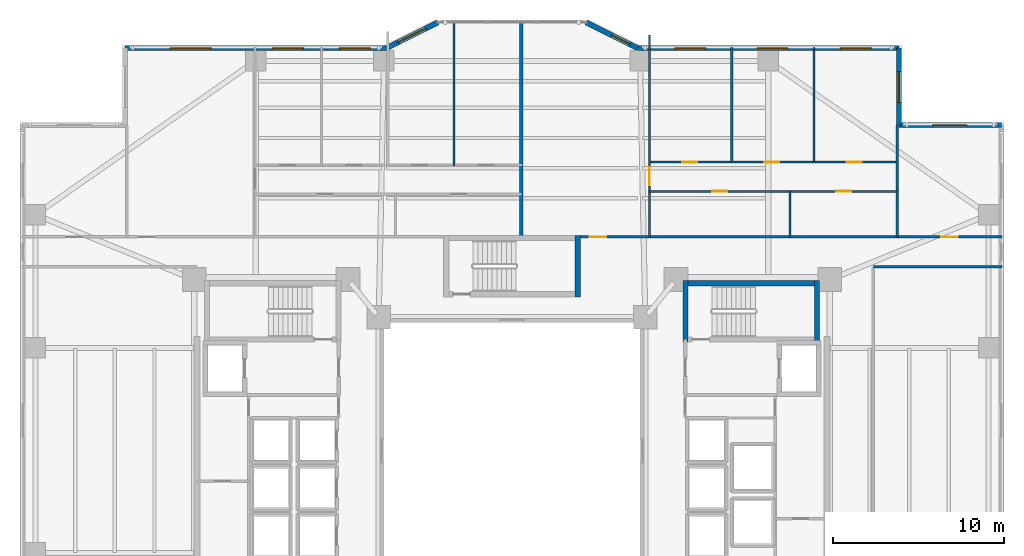
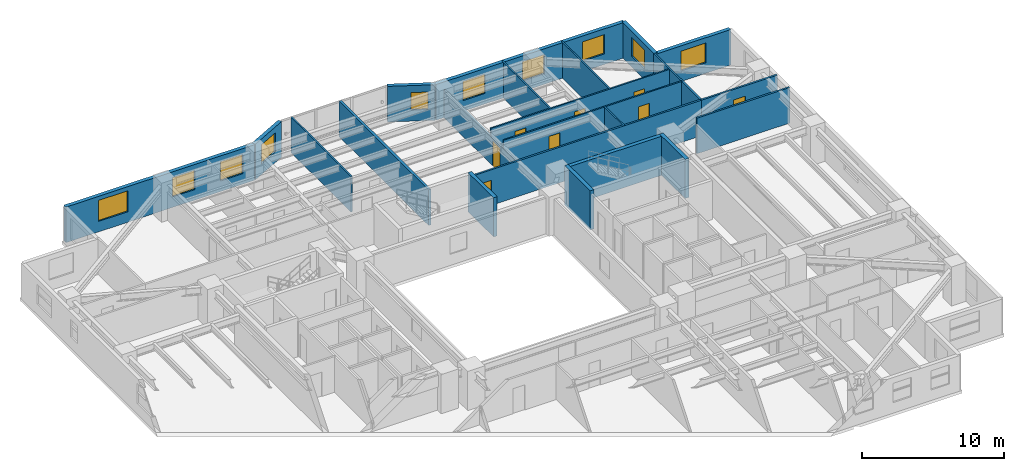
# One storey, part 14 of 20: 23 walls, 10 windows, 8 doors, 18 openings.
"""IFC4 building model written with IfcOpenShell, lengths in metres."""

from ifc_helpers import new_model, si_unit, direction, frame, frame_2d, origin, place, context, subcontext, project, spatial, rectangle, extrude, material, layer, layer_set, type_object, element, fill, save


model = new_model("IFC4")

# Units and contexts
model_context = context("Model", 3, precision=1e-05, world=origin(), true_north=direction((0.0, 1.0)))
body_context = subcontext(model_context, "Body", "Model", "MODEL_VIEW")
ifc_project = project(units=[si_unit("LENGTHUNIT", "METRE"), si_unit("AREAUNIT", "SQUARE_METRE"), si_unit("VOLUMEUNIT", "CUBIC_METRE"), si_unit("PLANEANGLEUNIT", "RADIAN"), si_unit("MASSUNIT", "GRAM", prefix="KILO")], contexts=[model_context])

# Site, building, storey
site_placement = place(None, origin())
site = spatial("IfcSite", under=ifc_project, at=site_placement, CompositionType="ELEMENT")
building_placement = place(site_placement, origin())
building = spatial("IfcBuilding", under=site, at=building_placement, Name="Tarnavaz Court Tower", CompositionType="ELEMENT")
storey_placement = place(building_placement, frame((0.0, 0.0, 60.85009765625)))
storey = spatial("IfcBuildingStorey", under=building, at=storey_placement, Name="L16", CompositionType="ELEMENT", Elevation=60.85009765625)

# Walls
ifc_material_1 = material(Name="Concrete C60/75", Category="concrete")
ifc_layer_1 = layer(ifc_material_1, 0.300048828125)
ifc_layer_set_1 = layer_set([ifc_layer_1], Name="Concrete C60/75")
wall_type_1 = type_object("IfcWallType", Name="WL-CORE-300-C60", PredefinedType="SHEAR", material=ifc_layer_set_1)
wall_1_placement = place(storey_placement, frame((10.0, 9.7900390625, 0.0), z_axis=(0.0, 0.0, 1.0), x_axis=(1.0, 0.0, 0.0)))
element("IfcWall", 1, at=wall_1_placement, inside=storey, type_object=wall_type_1, Name="L16 East Stair Core Wall 005", PredefinedType="SHEAR", context=body_context, shape_type="SweptSolid", body=[
    extrude(rectangle(XDim=8.0, YDim=0.300048828125, at=frame_2d((4.0, 0.0))), origin(), (0.0, 0.0, 1.0), 3.349853515625),
])
for number, where, z_axis, x_axis, name in (
    (2, (10.14990234375, 6.35009765625, 0.0), (0.0, 0.0, 1.0), (0.0, 1.0, 0.0), "L16 East Stair Core Wall 007"),
    (3, (17.85009765625, 6.35009765625, 0.0), (0.0, 0.0, 1.0), (0.0, 1.0, 0.0), "L16 East Stair Core Wall 008"),
):
    element("IfcWall", number, at=place(storey_placement, frame(where, z_axis=z_axis, x_axis=x_axis)), inside=storey, type_object=wall_type_1, Name=name, PredefinedType="SHEAR", context=body_context, shape_type="SweptSolid", body=[
        extrude(rectangle(XDim=3.58984375, YDim=0.300048828125, at=frame_2d((1.794921875, 0.0))), origin(), (0.0, 0.0, 1.0), 3.349853515625),
    ])
wall_2_placement = place(storey_placement, frame((3.85009765625, 9.0, 0.0), z_axis=(0.0, 0.0, 1.0), x_axis=(0.0, 1.0, 0.0)))
element("IfcWall", 4, at=wall_2_placement, inside=storey, type_object=wall_type_1, Name="L16 North Stair Core Wall 012", PredefinedType="SHEAR", context=body_context, shape_type="SweptSolid", body=[
    extrude(rectangle(XDim=3.590087890625, YDim=0.300048828125, at=frame_2d((1.794921875, 0.0))), origin(), (0.0, 0.0, 1.0), 3.349853515625),
])

# Wall, openings, windows
ifc_material_2 = material(Name="Precast Concrete C40/50", Category="concrete")
ifc_layer_2 = layer(ifc_material_2, 0.300048828125)
ifc_layer_set_2 = layer_set([ifc_layer_2], Name="Precast Concrete C40/50")
wall_type_2 = type_object("IfcWallType", Name="WL-EXT-300", PredefinedType="SOLIDWALL", material=ifc_layer_set_2)
wall_3_placement = place(storey_placement, frame((-22.64990234375, 23.550048828125, 0.0), z_axis=(0.0, 0.0, 1.0), x_axis=(1.0, 0.0, 0.0)))
wall_3 = element("IfcWall", 5, at=wall_3_placement, inside=storey, type_object=wall_type_2, Name="L16 Exterior Terracotta Facade Wall 05", PredefinedType="SOLIDWALL", context=body_context, shape_type="SweptSolid", body=[
    extrude(rectangle(XDim=15.2998046875, YDim=0.300048828125, at=frame_2d((7.64990234375, 0.0))), origin(), (0.0, 0.0, 1.0), 3.0498046875),
])
opening_1_placement = place(wall_3_placement, frame((2.637451171875, 0.0, 0.89990234375)))
opening_1 = element("IfcOpeningElement", 6, at=opening_1_placement, cuts=wall_3, Name="Opening W06", PredefinedType="OPENING", context=body_context, shape_type="SweptSolid", body=[
    extrude(rectangle(XDim=2.39990234375, YDim=1.800048828125, at=frame_2d((1.199951171875, 0.89990234375))), frame((0.0, 0.159912109375, 0.0), z_axis=(0.0, -1.0, 0.0), x_axis=(1.0, 0.0, 0.0)), (0.0, 0.0, 1.0), 0.320068359375),
])
opening_2_placement = place(wall_3_placement, frame((8.65625, 0.0, 0.89990234375)))
opening_2 = element("IfcOpeningElement", 7, at=opening_2_placement, cuts=wall_3, Name="Opening W01", PredefinedType="OPENING", context=body_context, shape_type="SweptSolid", body=[
    extrude(rectangle(XDim=1.800048828125, YDim=1.64990234375, at=frame_2d((0.89990234375, 0.824951171875))), frame((0.0, 0.159912109375, 0.0), z_axis=(0.0, -1.0, 0.0), x_axis=(1.0, 0.0, 0.0)), (0.0, 0.0, 1.0), 0.320068359375),
])
opening_3_placement = place(wall_3_placement, frame((12.5439453125, 0.0, 0.89990234375)))
opening_3 = element("IfcOpeningElement", 8, at=opening_3_placement, cuts=wall_3, Name="Opening W01", PredefinedType="OPENING", context=body_context, shape_type="SweptSolid", body=[
    extrude(rectangle(XDim=1.800048828125, YDim=1.64990234375, at=frame_2d((0.89990234375, 0.824951171875))), frame((0.0, 0.159912109375, 0.0), z_axis=(0.0, -1.0, 0.0), x_axis=(1.0, 0.0, 0.0)), (0.0, 0.0, 1.0), 0.320068359375),
])
ifc_material_3 = material(Name="Double-Glazed Solar Low-E Glass", Category="glass")
window_type_1 = type_object("IfcWindowType", Name="WN-APT-1800", PartitioningType="DOUBLE_PANEL_VERTICAL", PredefinedType="WINDOW", material=ifc_material_3)
window_1_placement = place(opening_2_placement, origin())
window_1 = element("IfcWindow", 9, at=window_1_placement, inside=storey, type_object=window_type_1, Name="L16 Flat 01 Principal Bedroom Window", OverallHeight=1.64990234375, OverallWidth=1.800048828125, PartitioningType="SINGLE_PANEL", PredefinedType="WINDOW", context=body_context, shape_type="SweptSolid", body=[
    extrude(rectangle(XDim=1.800048828125, YDim=1.64990234375, at=frame_2d((0.89990234375, 0.824951171875))), frame((0.0, 0.030029296875, 0.0), z_axis=(0.0, -1.0, 0.0), x_axis=(1.0, 0.0, 0.0)), (0.0, 0.0, 1.0), 0.06005859375),
])
fill(opening_2, window_1)
window_2_placement = place(opening_3_placement, origin())
window_2 = element("IfcWindow", 10, at=window_2_placement, inside=storey, type_object=window_type_1, Name="L16 Flat 01 Bedroom 2 Window", OverallHeight=1.64990234375, OverallWidth=1.800048828125, PartitioningType="SINGLE_PANEL", PredefinedType="WINDOW", context=body_context, shape_type="SweptSolid", body=[
    extrude(rectangle(XDim=1.800048828125, YDim=1.64990234375, at=frame_2d((0.89990234375, 0.824951171875))), frame((0.0, 0.030029296875, 0.0), z_axis=(0.0, -1.0, 0.0), x_axis=(1.0, 0.0, 0.0)), (0.0, 0.0, 1.0), 0.06005859375),
])
fill(opening_3, window_2)
window_type_2 = type_object("IfcWindowType", Name="WN-APT-2400", PartitioningType="TRIPLE_PANEL_VERTICAL", PredefinedType="WINDOW", material=ifc_material_3)
window_3_placement = place(opening_1_placement, origin())
window_3 = element("IfcWindow", 11, at=window_3_placement, inside=storey, type_object=window_type_2, Name="L16 Flat 01 Living and Dining Room Window", OverallHeight=1.800048828125, OverallWidth=2.39990234375, PartitioningType="SINGLE_PANEL", PredefinedType="WINDOW", context=body_context, shape_type="SweptSolid", body=[
    extrude(rectangle(XDim=2.39990234375, YDim=1.800048828125, at=frame_2d((1.199951171875, 0.89990234375))), frame((0.0, 0.030029296875, 0.0), z_axis=(0.0, -1.0, 0.0), x_axis=(1.0, 0.0, 0.0)), (0.0, 0.0, 1.0), 0.06005859375),
])
fill(opening_1, window_3)

# Wall, opening, window
wall_4_placement = place(storey_placement, frame((-7.35009765625, 23.550048828125, 0.0), z_axis=(0.0, 0.0, 1.0), x_axis=(0.894427191, 0.4472135955, 0.0)))
wall_4 = element("IfcWall", 12, at=wall_4_placement, inside=storey, type_object=wall_type_2, Name="L16 Exterior Terracotta Facade Wall 06", PredefinedType="SOLIDWALL", context=body_context, shape_type="SweptSolid", body=[
    extrude(rectangle(XDim=3.35400390625, YDim=0.300048828125, at=frame_2d((1.677001953125, 0.0))), origin(), (0.0, 0.0, 1.0), 3.0498046875),
])
opening_4_placement = place(wall_4_placement, frame((0.777099609375, 0.0, 0.89990234375)))
opening_4 = element("IfcOpeningElement", 13, at=opening_4_placement, cuts=wall_4, Name="Opening W01", PredefinedType="OPENING", context=body_context, shape_type="SweptSolid", body=[
    extrude(rectangle(XDim=1.800048828125, YDim=1.64990234375, at=frame_2d((0.89990234375, 0.824951171875))), frame((0.0, 0.159912109375, 0.0), z_axis=(0.0, -1.0, 0.0), x_axis=(1.0, 0.0, 0.0)), (0.0, 0.0, 1.0), 0.320068359375),
])
window_4_placement = place(opening_4_placement, origin())
window_4 = element("IfcWindow", 14, at=window_4_placement, inside=storey, type_object=window_type_1, Name="L16 Flat 01 Bedroom 3 Window", OverallHeight=1.64990234375, OverallWidth=1.800048828125, PartitioningType="SINGLE_PANEL", PredefinedType="WINDOW", context=body_context, shape_type="SweptSolid", body=[
    extrude(rectangle(XDim=1.800048828125, YDim=1.64990234375, at=frame_2d((0.89990234375, 0.824951171875))), frame((0.0, 0.030029296875, 0.0), z_axis=(0.0, -1.0, 0.0), x_axis=(1.0, 0.0, 0.0)), (0.0, 0.0, 1.0), 0.06005859375),
])
fill(opening_4, window_4)

wall_5_placement = place(storey_placement, frame((4.35009765625, 25.050048828125, 0.0), z_axis=(0.0, 0.0, 1.0), x_axis=(0.894427191, -0.4472135955, 0.0)))
wall_5 = element("IfcWall", 15, at=wall_5_placement, inside=storey, type_object=wall_type_2, Name="L16 Exterior Terracotta Facade Wall 08", PredefinedType="SOLIDWALL", context=body_context, shape_type="SweptSolid", body=[
    extrude(rectangle(XDim=3.35400390625, YDim=0.300048828125, at=frame_2d((1.677001953125, 0.0))), origin(), (0.0, 0.0, 1.0), 3.0498046875),
])
opening_5_placement = place(wall_5_placement, frame((1.65283203125, 0.0, 0.949951171875)))
opening_5 = element("IfcOpeningElement", 16, at=opening_5_placement, cuts=wall_5, Name="Opening W05", PredefinedType="OPENING", context=body_context, shape_type="SweptSolid", body=[
    extrude(rectangle(XDim=1.199951171875, YDim=1.5, at=frame_2d((0.60009765625, 0.75))), frame((0.0, 0.159912109375, 0.0), z_axis=(0.0, -1.0, 0.0), x_axis=(1.0, 0.0, 0.0)), (0.0, 0.0, 1.0), 0.320068359375),
])
window_type_3 = type_object("IfcWindowType", Name="WN-APT-1200", PartitioningType="SINGLE_PANEL", PredefinedType="WINDOW", material=ifc_material_3)
window_5_placement = place(opening_5_placement, origin())
window_5 = element("IfcWindow", 17, at=window_5_placement, inside=storey, type_object=window_type_3, Name="L16 Flat 02 Living and Dining Room Window", OverallHeight=1.5, OverallWidth=1.199951171875, PartitioningType="SINGLE_PANEL", PredefinedType="WINDOW", context=body_context, shape_type="SweptSolid", body=[
    extrude(rectangle(XDim=1.199951171875, YDim=1.5, at=frame_2d((0.60009765625, 0.75))), frame((0.0, 0.030029296875, 0.0), z_axis=(0.0, -1.0, 0.0), x_axis=(1.0, 0.0, 0.0)), (0.0, 0.0, 1.0), 0.06005859375),
])
fill(opening_5, window_5)

# Wall, openings, windows
wall_6_placement = place(storey_placement, frame((7.35009765625, 23.550048828125, 0.0), z_axis=(0.0, 0.0, 1.0), x_axis=(1.0, 0.0, 0.0)))
wall_6 = element("IfcWall", 18, at=wall_6_placement, inside=storey, type_object=wall_type_2, Name="L16 Exterior Terracotta Facade Wall 09", PredefinedType="SOLIDWALL", context=body_context, shape_type="SweptSolid", body=[
    extrude(rectangle(XDim=15.2998046875, YDim=0.300048828125, at=frame_2d((7.64990234375, 0.0))), origin(), (0.0, 0.0, 1.0), 3.0498046875),
])
opening_6_placement = place(wall_6_placement, frame((2.18505859375, 0.0, 0.89990234375)))
opening_6 = element("IfcOpeningElement", 19, at=opening_6_placement, cuts=wall_6, Name="Opening W01", PredefinedType="OPENING", context=body_context, shape_type="SweptSolid", body=[
    extrude(rectangle(XDim=1.800048828125, YDim=1.64990234375, at=frame_2d((0.89990234375, 0.824951171875))), frame((0.0, 0.159912109375, 0.0), z_axis=(0.0, -1.0, 0.0), x_axis=(1.0, 0.0, 0.0)), (0.0, 0.0, 1.0), 0.320068359375),
])
opening_7_placement = place(wall_6_placement, frame((7.000732421875, 0.0, 0.89990234375)))
opening_7 = element("IfcOpeningElement", 20, at=opening_7_placement, cuts=wall_6, Name="Opening W01", PredefinedType="OPENING", context=body_context, shape_type="SweptSolid", body=[
    extrude(rectangle(XDim=1.800048828125, YDim=1.64990234375, at=frame_2d((0.89990234375, 0.824951171875))), frame((0.0, 0.159912109375, 0.0), z_axis=(0.0, -1.0, 0.0), x_axis=(1.0, 0.0, 0.0)), (0.0, 0.0, 1.0), 0.320068359375),
])
opening_8_placement = place(wall_6_placement, frame((11.86669921875, 0.0, 0.89990234375)))
opening_8 = element("IfcOpeningElement", 21, at=opening_8_placement, cuts=wall_6, Name="Opening W01", PredefinedType="OPENING", context=body_context, shape_type="SweptSolid", body=[
    extrude(rectangle(XDim=1.800048828125, YDim=1.64990234375, at=frame_2d((0.89990234375, 0.824951171875))), frame((0.0, 0.159912109375, 0.0), z_axis=(0.0, -1.0, 0.0), x_axis=(1.0, 0.0, 0.0)), (0.0, 0.0, 1.0), 0.320068359375),
])
window_6_placement = place(opening_6_placement, origin())
window_6 = element("IfcWindow", 22, at=window_6_placement, inside=storey, type_object=window_type_1, Name="L16 Flat 02 Principal Bedroom Window", OverallHeight=1.64990234375, OverallWidth=1.800048828125, PartitioningType="SINGLE_PANEL", PredefinedType="WINDOW", context=body_context, shape_type="SweptSolid", body=[
    extrude(rectangle(XDim=1.800048828125, YDim=1.64990234375, at=frame_2d((0.89990234375, 0.824951171875))), frame((0.0, 0.030029296875, 0.0), z_axis=(0.0, -1.0, 0.0), x_axis=(1.0, 0.0, 0.0)), (0.0, 0.0, 1.0), 0.06005859375),
])
fill(opening_6, window_6)
window_7_placement = place(opening_7_placement, origin())
window_7 = element("IfcWindow", 23, at=window_7_placement, inside=storey, type_object=window_type_1, Name="L16 Flat 02 Bedroom 2 Window", OverallHeight=1.64990234375, OverallWidth=1.800048828125, PartitioningType="SINGLE_PANEL", PredefinedType="WINDOW", context=body_context, shape_type="SweptSolid", body=[
    extrude(rectangle(XDim=1.800048828125, YDim=1.64990234375, at=frame_2d((0.89990234375, 0.824951171875))), frame((0.0, 0.030029296875, 0.0), z_axis=(0.0, -1.0, 0.0), x_axis=(1.0, 0.0, 0.0)), (0.0, 0.0, 1.0), 0.06005859375),
])
fill(opening_7, window_7)
window_8_placement = place(opening_8_placement, origin())
window_8 = element("IfcWindow", 24, at=window_8_placement, inside=storey, type_object=window_type_1, Name="L16 Flat 02 Bedroom 3 Window", OverallHeight=1.64990234375, OverallWidth=1.800048828125, PartitioningType="SINGLE_PANEL", PredefinedType="WINDOW", context=body_context, shape_type="SweptSolid", body=[
    extrude(rectangle(XDim=1.800048828125, YDim=1.64990234375, at=frame_2d((0.89990234375, 0.824951171875))), frame((0.0, 0.030029296875, 0.0), z_axis=(0.0, -1.0, 0.0), x_axis=(1.0, 0.0, 0.0)), (0.0, 0.0, 1.0), 0.06005859375),
])
fill(opening_8, window_8)

# Wall, opening, window
wall_7_placement = place(storey_placement, frame((22.64990234375, 23.550048828125, 0.0), z_axis=(0.0, 0.0, 1.0), x_axis=(0.0, -1.0, 0.0)))
wall_7 = element("IfcWall", 25, at=wall_7_placement, inside=storey, type_object=wall_type_2, Name="L16 Exterior Terracotta Facade Wall 10", PredefinedType="SOLIDWALL", context=body_context, shape_type="SweptSolid", body=[
    extrude(rectangle(XDim=4.5, YDim=0.300048828125, at=frame_2d((2.25, 0.0))), origin(), (0.0, 0.0, 1.0), 3.0498046875),
])
opening_9_placement = place(wall_7_placement, frame((1.367431640625, 0.0, 0.89990234375)))
opening_9 = element("IfcOpeningElement", 26, at=opening_9_placement, cuts=wall_7, Name="Opening W01", PredefinedType="OPENING", context=body_context, shape_type="SweptSolid", body=[
    extrude(rectangle(XDim=1.800048828125, YDim=1.64990234375, at=frame_2d((0.89990234375, 0.824951171875))), frame((0.0, 0.159912109375, 0.0), z_axis=(0.0, -1.0, 0.0), x_axis=(1.0, 0.0, 0.0)), (0.0, 0.0, 1.0), 0.320068359375),
])
window_9_placement = place(opening_9_placement, origin())
window_9 = element("IfcWindow", 27, at=window_9_placement, inside=storey, type_object=window_type_1, Name="L16 Flat 02 Bedroom 3 Window", OverallHeight=1.64990234375, OverallWidth=1.800048828125, PartitioningType="SINGLE_PANEL", PredefinedType="WINDOW", context=body_context, shape_type="SweptSolid", body=[
    extrude(rectangle(XDim=1.800048828125, YDim=1.64990234375, at=frame_2d((0.89990234375, 0.824951171875))), frame((0.0, 0.030029296875, 0.0), z_axis=(0.0, -1.0, 0.0), x_axis=(1.0, 0.0, 0.0)), (0.0, 0.0, 1.0), 0.06005859375),
])
fill(opening_9, window_9)

wall_8_placement = place(storey_placement, frame((22.64990234375, 19.050048828125, 0.0), z_axis=(0.0, 0.0, 1.0), x_axis=(1.0, 0.0, 0.0)))
wall_8 = element("IfcWall", 28, at=wall_8_placement, inside=storey, type_object=wall_type_2, Name="L16 Exterior Terracotta Facade Wall 11", PredefinedType="SOLIDWALL", context=body_context, shape_type="SweptSolid", body=[
    extrude(rectangle(XDim=6.0, YDim=0.300048828125, at=frame_2d((3.0, 0.0))), origin(), (0.0, 0.0, 1.0), 3.0498046875),
])
opening_10_placement = place(wall_8_placement, frame((1.97509765625, 0.0, 0.89990234375)))
opening_10 = element("IfcOpeningElement", 29, at=opening_10_placement, cuts=wall_8, Name="Opening W08", PredefinedType="OPENING", context=body_context, shape_type="SweptSolid", body=[
    extrude(rectangle(XDim=2.0, YDim=1.699951171875, at=frame_2d((1.0, 0.85009765625))), frame((0.0, 0.159912109375, 0.0), z_axis=(0.0, -1.0, 0.0), x_axis=(1.0, 0.0, 0.0)), (0.0, 0.0, 1.0), 0.320068359375),
])
window_type_4 = type_object("IfcWindowType", Name="WN-APT-2000", PartitioningType="DOUBLE_PANEL_VERTICAL", PredefinedType="WINDOW", material=ifc_material_3)
window_10_placement = place(opening_10_placement, origin())
window_10 = element("IfcWindow", 30, at=window_10_placement, inside=storey, type_object=window_type_4, Name="L16 North-East Corner Sunroom Study Window", OverallHeight=1.699951171875, OverallWidth=2.0, PartitioningType="SINGLE_PANEL", PredefinedType="WINDOW", context=body_context, shape_type="SweptSolid", body=[
    extrude(rectangle(XDim=2.0, YDim=1.699951171875, at=frame_2d((1.0, 0.85009765625))), frame((0.0, 0.030029296875, 0.0), z_axis=(0.0, -1.0, 0.0), x_axis=(1.0, 0.0, 0.0)), (0.0, 0.0, 1.0), 0.06005859375),
])
fill(opening_10, window_10)

# Wall, opening, door
ifc_material_4 = material(Name="Gypsum Fire-Board on Acoustic Metal Stud", Category="masonry")
ifc_layer_3 = layer(ifc_material_4, 0.14990234375)
ifc_layer_set_3 = layer_set([ifc_layer_3], Name="Gypsum Fire-Board on Acoustic Metal Stud")
wall_type_3 = type_object("IfcWallType", Name="WL-FIRE-150", PredefinedType="PARTITIONING", material=ifc_layer_set_3)
wall_9_placement = place(storey_placement, frame((3.85009765625, 12.5, 0.0), z_axis=(0.0, 0.0, 1.0), x_axis=(1.0, 0.0, 0.0)))
wall_9 = element("IfcWall", 31, at=wall_9_placement, inside=storey, type_object=wall_type_3, Name="L16 NE Wing Corridor Wall 082", PredefinedType="PARTITIONING", context=body_context, shape_type="SweptSolid", body=[
    extrude(rectangle(XDim=18.699951171875, YDim=0.14990234375, at=frame_2d((9.35009765625, 0.0))), origin(), (0.0, 0.0, 1.0), 3.0498046875),
])
opening_11_placement = place(wall_9_placement, frame((0.699951171875, 0.0, 0.0)))
opening_11 = element("IfcOpeningElement", 32, at=opening_11_placement, cuts=wall_9, Name="Opening D06", PredefinedType="OPENING", context=body_context, shape_type="SweptSolid", body=[
    extrude(rectangle(XDim=0.9599609375, YDim=2.14990234375, at=frame_2d((0.47998046875, 1.074951171875))), frame((0.0, 0.0849609375, 0.0), z_axis=(0.0, -1.0, 0.0), x_axis=(1.0, 0.0, 0.0)), (0.0, 0.0, 1.0), 0.169921875),
])
ifc_material_5 = material(Name="Fire-Rated Hardwood Timber Core", Category="wood")
door_type_1 = type_object("IfcDoorType", Name="DR-FD60-950", OperationType="NOTDEFINED", PredefinedType="DOOR", material=ifc_material_5)
door_1_placement = place(opening_11_placement, origin())
door_1 = element("IfcDoor", 33, at=door_1_placement, inside=storey, type_object=door_type_1, Name="L16 Flat 02 Entrance Door", OperationType="SINGLE_SWING_LEFT", OverallHeight=2.14990234375, OverallWidth=0.9599609375, PredefinedType="DOOR", context=body_context, shape_type="SweptSolid", body=[
    extrude(rectangle(XDim=0.9599609375, YDim=2.14990234375, at=frame_2d((0.47998046875, 1.074951171875))), frame((0.0, 0.02490234375, 0.0), z_axis=(0.0, -1.0, 0.0), x_axis=(1.0, 0.0, 0.0)), (0.0, 0.0, 1.0), 0.050048828125),
])
fill(opening_11, door_1)

# Wall
wall_10_placement = place(storey_placement, frame((21.14990234375, 10.75, 0.0), z_axis=(0.0, 0.0, 1.0), x_axis=(1.0, 0.0, 0.0)))
element("IfcWall", 34, at=wall_10_placement, inside=storey, type_object=wall_type_3, Name="L16 Interior Partition 124", PredefinedType="PARTITIONING", context=body_context, shape_type="SweptSolid", body=[
    extrude(rectangle(XDim=7.530029296875, YDim=0.14990234375, at=frame_2d((3.76513671875, 0.0))), origin(), (0.0, 0.0, 1.0), 3.0498046875),
])

# Wall, opening, door
wall_11_placement = place(storey_placement, frame((22.550048828125, 12.5, 0.0), z_axis=(0.0, 0.0, 1.0), x_axis=(1.0, 0.0, 0.0)))
wall_11 = element("IfcWall", 35, at=wall_11_placement, inside=storey, type_object=wall_type_3, Name="L16 Interior Partition 130", PredefinedType="PARTITIONING", context=body_context, shape_type="SweptSolid", body=[
    extrude(rectangle(XDim=6.1298828125, YDim=0.14990234375, at=frame_2d((3.06494140625, 0.0))), origin(), (0.0, 0.0, 1.0), 3.0498046875),
])
opening_12_placement = place(wall_11_placement, frame((2.590087890625, 0.0, 0.0)))
opening_12 = element("IfcOpeningElement", 36, at=opening_12_placement, cuts=wall_11, Name="Opening D13", PredefinedType="OPENING", context=body_context, shape_type="SweptSolid", body=[
    extrude(rectangle(XDim=0.949951171875, YDim=2.14990234375, at=frame_2d((0.47509765625, 1.074951171875))), frame((0.0, 0.0849609375, 0.0), z_axis=(0.0, -1.0, 0.0), x_axis=(1.0, 0.0, 0.0)), (0.0, 0.0, 1.0), 0.169921875),
])
ifc_material_6 = material(Name="Engineered Oak Timber", Category="wood")
door_type_2 = type_object("IfcDoorType", Name="DR-INT-950", OperationType="NOTDEFINED", PredefinedType="DOOR", material=ifc_material_6)
door_2_placement = place(opening_12_placement, origin())
door_2 = element("IfcDoor", 37, at=door_2_placement, inside=storey, type_object=door_type_2, Name="L16 NE Sunroom Door", OperationType="SINGLE_SWING_RIGHT", OverallHeight=2.14990234375, OverallWidth=0.949951171875, PredefinedType="DOOR", context=body_context, shape_type="SweptSolid", body=[
    extrude(rectangle(XDim=0.949951171875, YDim=2.14990234375, at=frame_2d((0.47509765625, 1.074951171875))), frame((0.0, 0.02490234375, 0.0), z_axis=(0.0, -1.0, 0.0), x_axis=(1.0, 0.0, 0.0)), (0.0, 0.0, 1.0), 0.050048828125),
])
fill(opening_12, door_2)

# Walls
ifc_material_7 = material(Name="Autoclaved Aerated Concrete Blockwork", Category="masonry")
ifc_layer_4 = layer(ifc_material_7, 0.199951171875)
ifc_layer_set_4 = layer_set([ifc_layer_4], Name="Autoclaved Aerated Concrete Blockwork")
wall_type_4 = type_object("IfcWallType", Name="WL-FIRE-200", PredefinedType="SOLIDWALL", material=ifc_layer_set_4)
wall_12_placement = place(storey_placement, frame((0.550048828125, 12.5, 0.0), z_axis=(0.0, 0.0, 1.0), x_axis=(0.0, 1.0, 0.0)))
element("IfcWall", 38, at=wall_12_placement, inside=storey, type_object=wall_type_4, Name="L16 North Center Party Wall 087", PredefinedType="SOLIDWALL", context=body_context, shape_type="SweptSolid", body=[
    extrude(rectangle(XDim=12.580078125, YDim=0.199951171875, at=frame_2d((6.2900390625, 0.0))), origin(), (0.0, 0.0, 1.0), 3.0498046875),
])
ifc_material_8 = material(Name="Moisture-Resistant Gypsum Board Partition", Category="masonry")
ifc_layer_5 = layer(ifc_material_8, 0.1201171875)
ifc_layer_set_5 = layer_set([ifc_layer_5], Name="Moisture-Resistant Gypsum Board Partition")
wall_type_5 = type_object("IfcWallType", Name="WL-PART-120", PredefinedType="PARTITIONING", material=ifc_layer_set_5)
wall_13_placement = place(storey_placement, frame((-3.39111328125, 16.64990234375, 0.0), z_axis=(0.0, 0.0, 1.0), x_axis=(0.0, 1.0, 0.0)))
element("IfcWall", 39, at=wall_13_placement, inside=storey, type_object=wall_type_5, Name="L16 Interior Partition 095", PredefinedType="PARTITIONING", context=body_context, shape_type="SweptSolid", body=[
    extrude(rectangle(XDim=8.43017578125, YDim=0.1201171875, at=frame_2d((4.215087890625, 0.0))), origin(), (0.0, 0.0, 1.0), 3.0498046875),
])

# Wall, opening, door
wall_14_placement = place(storey_placement, frame((8.049072265625, 12.43994140625, 0.0), z_axis=(0.0, 0.0, 1.0), x_axis=(0.0, 1.0, 0.0)))
wall_14 = element("IfcWall", 40, at=wall_14_placement, inside=storey, type_object=wall_type_5, Name="L16 Interior Partition 096", PredefinedType="PARTITIONING", context=body_context, shape_type="SweptSolid", body=[
    extrude(rectangle(XDim=11.887939453125, YDim=0.1201171875, at=frame_2d((5.94384765625, 0.0))), origin(), (0.0, 0.0, 1.0), 2.385009765625),
])
opening_13_placement = place(wall_14_placement, frame((3.074951171875, 0.0, 0.0)))
opening_13 = element("IfcOpeningElement", 41, at=opening_13_placement, cuts=wall_14, Name="Opening D12", PredefinedType="OPENING", context=body_context, shape_type="SweptSolid", body=[
    extrude(rectangle(XDim=1.080078125, YDim=2.14990234375, at=frame_2d((0.5400390625, 1.074951171875))), frame((0.0, 0.070068359375, 0.0), z_axis=(0.0, -1.0, 0.0), x_axis=(1.0, 0.0, 0.0)), (0.0, 0.0, 1.0), 0.14013671875),
])
door_type_3 = type_object("IfcDoorType", Name="DR-INT-1100", OperationType="NOTDEFINED", PredefinedType="DOOR", material=ifc_material_6)
door_3_placement = place(opening_13_placement, origin())
door_3 = element("IfcDoor", 42, at=door_3_placement, inside=storey, type_object=door_type_3, Name="L16 Flat 02 Foyer Door", OperationType="SINGLE_SWING_RIGHT", OverallHeight=2.14990234375, OverallWidth=1.080078125, PredefinedType="DOOR", context=body_context, shape_type="SweptSolid", body=[
    extrude(rectangle(XDim=1.080078125, YDim=2.14990234375, at=frame_2d((0.5400390625, 1.074951171875))), frame((0.0, 0.02490234375, 0.0), z_axis=(0.0, -1.0, 0.0), x_axis=(1.0, 0.0, 0.0)), (0.0, 0.0, 1.0), 0.050048828125),
])
fill(opening_13, door_3)

wall_15_placement = place(storey_placement, frame((8.049072265625, 15.169921875, 0.0), z_axis=(0.0, 0.0, 1.0), x_axis=(1.0, 0.0, 0.0)))
wall_15 = element("IfcWall", 43, at=wall_15_placement, inside=storey, type_object=wall_type_5, Name="L16 Interior Partition 097", PredefinedType="PARTITIONING", context=body_context, shape_type="SweptSolid", body=[
    extrude(rectangle(XDim=8.23095703125, YDim=0.1201171875, at=frame_2d((4.115478515625, 0.0))), origin(), (0.0, 0.0, 1.0), 3.0498046875),
])
opening_14_placement = place(wall_15_placement, frame((3.676025390625, 0.0, 0.0)))
opening_14 = element("IfcOpeningElement", 44, at=opening_14_placement, cuts=wall_15, Name="Opening D14", PredefinedType="OPENING", context=body_context, shape_type="SweptSolid", body=[
    extrude(rectangle(XDim=0.8798828125, YDim=2.10009765625, at=frame_2d((0.43994140625, 1.050048828125))), frame((0.0, 0.070068359375, 0.0), z_axis=(0.0, -1.0, 0.0), x_axis=(1.0, 0.0, 0.0)), (0.0, 0.0, 1.0), 0.14013671875),
])
door_type_4 = type_object("IfcDoorType", Name="DR-INT-900", OperationType="NOTDEFINED", PredefinedType="DOOR", material=ifc_material_6)
door_4_placement = place(opening_14_placement, origin())
door_4 = element("IfcDoor", 45, at=door_4_placement, inside=storey, type_object=door_type_4, Name="L16 Flat 02 Kitchen Door", OperationType="SINGLE_SWING_LEFT", OverallHeight=2.10009765625, OverallWidth=0.8798828125, PredefinedType="DOOR", context=body_context, shape_type="SweptSolid", body=[
    extrude(rectangle(XDim=0.8798828125, YDim=2.10009765625, at=frame_2d((0.43994140625, 1.050048828125))), frame((0.0, 0.02490234375, 0.0), z_axis=(0.0, -1.0, 0.0), x_axis=(1.0, 0.0, 0.0)), (0.0, 0.0, 1.0), 0.050048828125),
])
fill(opening_14, door_4)

wall_16_placement = place(storey_placement, frame((16.280029296875, 15.169921875, 0.0), z_axis=(0.0, 0.0, 1.0), x_axis=(1.0, 0.0, 0.0)))
wall_16 = element("IfcWall", 46, at=wall_16_placement, inside=storey, type_object=wall_type_5, Name="L16 Interior Partition 098", PredefinedType="PARTITIONING", context=body_context, shape_type="SweptSolid", body=[
    extrude(rectangle(XDim=6.27001953125, YDim=0.1201171875, at=frame_2d((3.135009765625, 0.0))), origin(), (0.0, 0.0, 1.0), 3.0498046875),
])
opening_15_placement = place(wall_16_placement, frame((2.695068359375, 0.0, 0.0)))
opening_15 = element("IfcOpeningElement", 47, at=opening_15_placement, cuts=wall_16, Name="Opening D14", PredefinedType="OPENING", context=body_context, shape_type="SweptSolid", body=[
    extrude(rectangle(XDim=0.8798828125, YDim=2.10009765625, at=frame_2d((0.43994140625, 1.050048828125))), frame((0.0, 0.070068359375, 0.0), z_axis=(0.0, -1.0, 0.0), x_axis=(1.0, 0.0, 0.0)), (0.0, 0.0, 1.0), 0.14013671875),
])
door_5_placement = place(opening_15_placement, origin())
door_5 = element("IfcDoor", 48, at=door_5_placement, inside=storey, type_object=door_type_4, Name="L16 Flat 02 Bathroom Door", OperationType="SINGLE_SWING_RIGHT", OverallHeight=2.10009765625, OverallWidth=0.8798828125, PredefinedType="DOOR", context=body_context, shape_type="SweptSolid", body=[
    extrude(rectangle(XDim=0.8798828125, YDim=2.10009765625, at=frame_2d((0.43994140625, 1.050048828125))), frame((0.0, 0.02490234375, 0.0), z_axis=(0.0, -1.0, 0.0), x_axis=(1.0, 0.0, 0.0)), (0.0, 0.0, 1.0), 0.050048828125),
])
fill(opening_15, door_5)

# Wall, openings, doors
wall_17_placement = place(storey_placement, frame((7.989013671875, 16.8798828125, 0.0), z_axis=(0.0, 0.0, 1.0), x_axis=(1.0, 0.0, 0.0)))
wall_17 = element("IfcWall", 49, at=wall_17_placement, inside=storey, type_object=wall_type_5, Name="L16 Interior Partition 099", PredefinedType="PARTITIONING", context=body_context, shape_type="SweptSolid", body=[
    extrude(rectangle(XDim=14.62109375, YDim=0.1201171875, at=frame_2d((7.310546875, 0.0))), origin(), (0.0, 0.0, 1.0), 3.0498046875),
])
opening_16_placement = place(wall_17_placement, frame((1.967041015625, 0.0, 0.0)))
opening_16 = element("IfcOpeningElement", 50, at=opening_16_placement, cuts=wall_17, Name="Opening D14", PredefinedType="OPENING", context=body_context, shape_type="SweptSolid", body=[
    extrude(rectangle(XDim=0.8798828125, YDim=2.10009765625, at=frame_2d((0.43994140625, 1.050048828125))), frame((0.0, 0.070068359375, 0.0), z_axis=(0.0, -1.0, 0.0), x_axis=(1.0, 0.0, 0.0)), (0.0, 0.0, 1.0), 0.14013671875),
])
opening_17_placement = place(wall_17_placement, frame((6.781005859375, 0.0, 0.0)))
opening_17 = element("IfcOpeningElement", 51, at=opening_17_placement, cuts=wall_17, Name="Opening D14", PredefinedType="OPENING", context=body_context, shape_type="SweptSolid", body=[
    extrude(rectangle(XDim=0.8798828125, YDim=2.10009765625, at=frame_2d((0.43994140625, 1.050048828125))), frame((0.0, 0.070068359375, 0.0), z_axis=(0.0, -1.0, 0.0), x_axis=(1.0, 0.0, 0.0)), (0.0, 0.0, 1.0), 0.14013671875),
])
opening_18_placement = place(wall_17_placement, frame((11.593994140625, 0.0, 0.0)))
opening_18 = element("IfcOpeningElement", 52, at=opening_18_placement, cuts=wall_17, Name="Opening D14", PredefinedType="OPENING", context=body_context, shape_type="SweptSolid", body=[
    extrude(rectangle(XDim=0.8798828125, YDim=2.10009765625, at=frame_2d((0.43994140625, 1.050048828125))), frame((0.0, 0.070068359375, 0.0), z_axis=(0.0, -1.0, 0.0), x_axis=(1.0, 0.0, 0.0)), (0.0, 0.0, 1.0), 0.14013671875),
])
door_6_placement = place(opening_16_placement, origin())
door_6 = element("IfcDoor", 53, at=door_6_placement, inside=storey, type_object=door_type_4, Name="L16 Flat 02 Bedroom 1 Door", OperationType="SINGLE_SWING_LEFT", OverallHeight=2.10009765625, OverallWidth=0.8798828125, PredefinedType="DOOR", context=body_context, shape_type="SweptSolid", body=[
    extrude(rectangle(XDim=0.8798828125, YDim=2.10009765625, at=frame_2d((0.43994140625, 1.050048828125))), frame((0.0, 0.02490234375, 0.0), z_axis=(0.0, -1.0, 0.0), x_axis=(1.0, 0.0, 0.0)), (0.0, 0.0, 1.0), 0.050048828125),
])
fill(opening_16, door_6)
door_7_placement = place(opening_17_placement, origin())
door_7 = element("IfcDoor", 54, at=door_7_placement, inside=storey, type_object=door_type_4, Name="L16 Flat 02 Bedroom 2 Door", OperationType="SINGLE_SWING_RIGHT", OverallHeight=2.10009765625, OverallWidth=0.8798828125, PredefinedType="DOOR", context=body_context, shape_type="SweptSolid", body=[
    extrude(rectangle(XDim=0.8798828125, YDim=2.10009765625, at=frame_2d((0.43994140625, 1.050048828125))), frame((0.0, 0.02490234375, 0.0), z_axis=(0.0, -1.0, 0.0), x_axis=(1.0, 0.0, 0.0)), (0.0, 0.0, 1.0), 0.050048828125),
])
fill(opening_17, door_7)
door_8_placement = place(opening_18_placement, origin())
door_8 = element("IfcDoor", 55, at=door_8_placement, inside=storey, type_object=door_type_4, Name="L16 Flat 02 Bedroom 3 Door", OperationType="SINGLE_SWING_LEFT", OverallHeight=2.10009765625, OverallWidth=0.8798828125, PredefinedType="DOOR", context=body_context, shape_type="SweptSolid", body=[
    extrude(rectangle(XDim=0.8798828125, YDim=2.10009765625, at=frame_2d((0.43994140625, 1.050048828125))), frame((0.0, 0.02490234375, 0.0), z_axis=(0.0, -1.0, 0.0), x_axis=(1.0, 0.0, 0.0)), (0.0, 0.0, 1.0), 0.050048828125),
])
fill(opening_18, door_8)

# Walls
wall_18_placement = place(storey_placement, frame((16.280029296875, 12.43994140625, 0.0), z_axis=(0.0, 0.0, 1.0), x_axis=(0.0, 1.0, 0.0)))
element("IfcWall", 56, at=wall_18_placement, inside=storey, type_object=wall_type_5, Name="L16 Interior Partition 100", PredefinedType="PARTITIONING", context=body_context, shape_type="SweptSolid", body=[
    extrude(rectangle(XDim=2.7900390625, YDim=0.1201171875, at=frame_2d((1.39501953125, 0.0))), origin(), (0.0, 0.0, 1.0), 3.0498046875),
])
for number, where, z_axis, x_axis, name in (
    (57, (12.863037109375, 16.820068359375, 0.0), (0.0, 0.0, 1.0), (0.0, 1.0, 0.0), "L16 Interior Partition 101"),
    (58, (17.676025390625, 16.820068359375, 0.0), (0.0, 0.0, 1.0), (0.0, 1.0, 0.0), "L16 Interior Partition 102"),
):
    element("IfcWall", number, at=place(storey_placement, frame(where, z_axis=z_axis, x_axis=x_axis)), inside=storey, type_object=wall_type_5, Name=name, PredefinedType="PARTITIONING", context=body_context, shape_type="SweptSolid", body=[
        extrude(rectangle(XDim=6.780029296875, YDim=0.1201171875, at=frame_2d((3.39013671875, 0.0))), origin(), (0.0, 0.0, 1.0), 3.0498046875),
    ])
ifc_material_9 = material(Name="Gypsum Plasterboard Acoustic Partition", Category="masonry")
ifc_layer_6 = layer(ifc_material_9, 0.139892578125)
ifc_layer_set_6 = layer_set([ifc_layer_6], Name="Gypsum Plasterboard Acoustic Partition")
wall_type_6 = type_object("IfcWallType", Name="WL-PART-150", PredefinedType="PARTITIONING", material=ifc_layer_set_6)
wall_19_placement = place(storey_placement, frame((22.550048828125, 12.5, 0.0), z_axis=(0.0, 0.0, 1.0), x_axis=(0.0, 1.0, 0.0)))
element("IfcWall", 59, at=wall_19_placement, inside=storey, type_object=wall_type_6, Name="L16 Interior Partition 128", PredefinedType="PARTITIONING", context=body_context, shape_type="SweptSolid", body=[
    extrude(rectangle(XDim=6.550048828125, YDim=0.139892578125, at=frame_2d((3.27490234375, 0.0))), origin(), (0.0, 0.0, 1.0), 3.0498046875),
])

save(model, "model.ifc")
